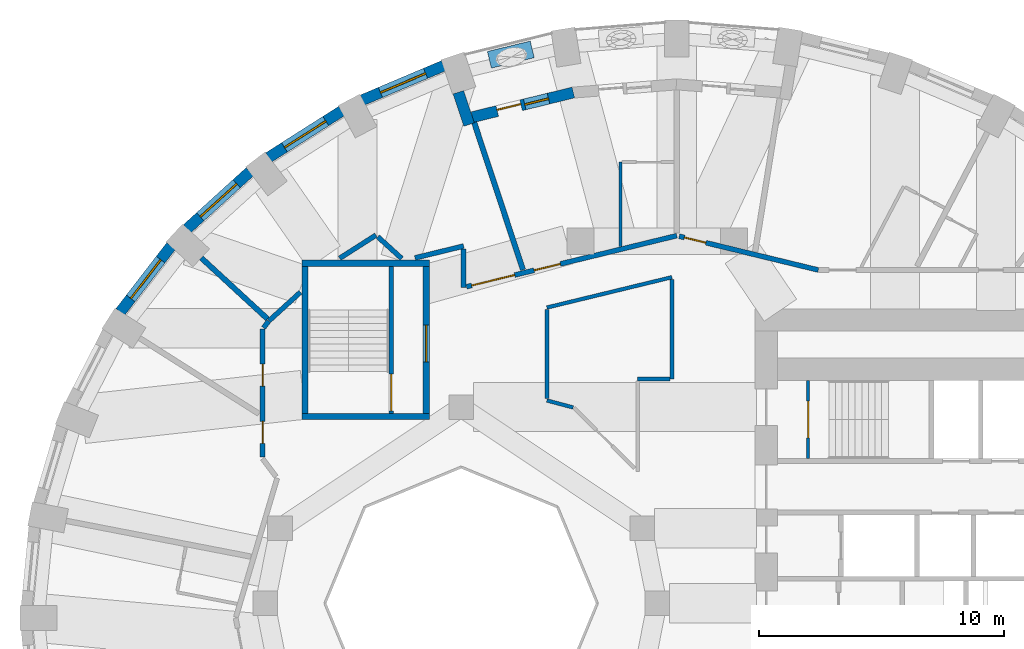
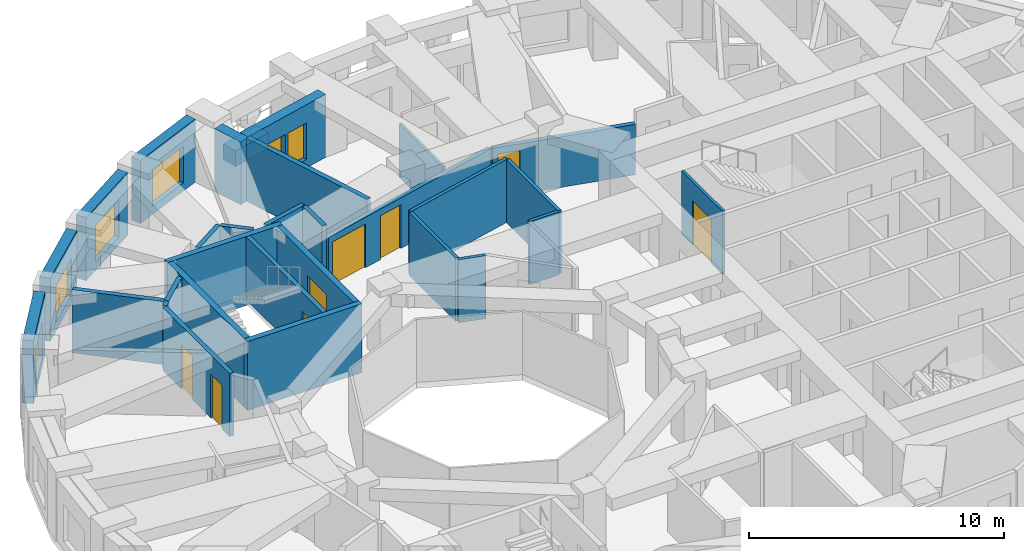
# One storey, part 7 of 12: 30 walls, 9 doors, 5 windows, 14 openings.
"""IFC4 building model written with IfcOpenShell, lengths in metres."""

from ifc_helpers import new_model, si_unit, direction, frame, frame_2d, origin, place, context, subcontext, project, spatial, rectangle, extrude, material, layer, layer_set, constituent, constituent_set, type_object, element, fill, save


model = new_model("IFC4")

# Units and contexts
model_context = context("Model", 3, precision=1e-05, world=origin(), true_north=direction((0.0, 1.0)))
body_context = subcontext(model_context, "Body", "Model", "MODEL_VIEW")
ifc_project = project(units=[si_unit("LENGTHUNIT", "METRE"), si_unit("AREAUNIT", "SQUARE_METRE"), si_unit("VOLUMEUNIT", "CUBIC_METRE"), si_unit("PLANEANGLEUNIT", "RADIAN"), si_unit("MASSUNIT", "GRAM", prefix="KILO")], contexts=[model_context])

# Site, building, storey
site_placement = place(None, origin())
site = spatial("IfcSite", under=ifc_project, at=site_placement, CompositionType="ELEMENT")
building_placement = place(site_placement, origin())
building = spatial("IfcBuilding", under=site, at=building_placement, Name="Taillehof Tower", CompositionType="ELEMENT")
storey_placement = place(building_placement, frame((0.0, 0.0, 88.89990234375)))
storey = spatial("IfcBuildingStorey", under=building, at=storey_placement, Name="L24", CompositionType="ELEMENT", Elevation=88.89990234375)

# Wall, opening, window
ifc_material_1 = material(Name="Brick masonry", Category="masonry")
ifc_layer_1 = layer(ifc_material_1, 0.449951171875)
ifc_layer_set_1 = layer_set([ifc_layer_1], Name="Brick infill wall 450")
wall_type_1 = type_object("IfcWallType", Name="Brick infill wall 450", PredefinedType="SOLIDWALL", material=ifc_layer_set_1)
wall_1_placement = place(storey_placement, frame((-8.718017578125, 21.93359375, 0.0), z_axis=(0.0, 0.0, 1.0), x_axis=(-0.920879975612, -0.389846213932, 0.0)))
wall_1 = element("IfcWall", 1, at=wall_1_placement, inside=storey, type_object=wall_type_1, Name="Brick wall L24 bay 12", PredefinedType="SOLIDWALL", context=body_context, shape_type="SweptSolid", body=[
    extrude(rectangle(XDim=3.591552734375, YDim=0.449951171875, at=frame_2d((1.7958984375, 0.0))), origin(), (0.0, 0.0, 1.0), 3.02001953125),
])
opening_1_placement = place(wall_1_placement, frame((0.795654296875, 0.0, 0.39990234375)))
opening_1 = element("IfcOpeningElement", 2, at=opening_1_placement, cuts=wall_1, Name="Opening W2", PredefinedType="OPENING", context=body_context, shape_type="SweptSolid", body=[
    extrude(rectangle(XDim=2.0, YDim=1.75, at=frame_2d((1.0, 0.875))), frame((0.0, 0.23486328125, 0.0), z_axis=(0.0, -1.0, 0.0), x_axis=(1.0, 0.0, 0.0)), (0.0, 0.0, 1.0), 0.469970703125),
])
ifc_material_2 = material(Name="Aluminium window frame with clear double glazing", Category="aluminium")
window_type_1 = type_object("IfcWindowType", Name="Deep-set window 2000x1750", PartitioningType="SINGLE_PANEL", PredefinedType="WINDOW", material=ifc_material_2)
window_1_placement = place(opening_1_placement, origin())
window_1 = element("IfcWindow", 3, at=window_1_placement, inside=storey, type_object=window_type_1, Name="W2", OverallHeight=1.75, OverallWidth=2.0, PartitioningType="SINGLE_PANEL", PredefinedType="WINDOW", context=body_context, shape_type="SweptSolid", body=[
    extrude(rectangle(XDim=2.0, YDim=1.75, at=frame_2d((1.0, 0.875))), frame((0.0, 0.034912109375, 0.0), z_axis=(0.0, -1.0, 0.0), x_axis=(1.0, 0.0, 0.0)), (0.0, 0.0, 1.0), 0.06005859375),
])
fill(opening_1, window_1)

wall_2_placement = place(storey_placement, frame((-12.87548828125, 20.087158203125, 0.0), z_axis=(0.0, 0.0, 1.0), x_axis=(-0.843860651879, -0.536562391722, 0.0)))
wall_2 = element("IfcWall", 4, at=wall_2_placement, inside=storey, type_object=wall_type_1, Name="Brick wall L24 bay 13", PredefinedType="SOLIDWALL", context=body_context, shape_type="SweptSolid", body=[
    extrude(rectangle(XDim=3.5322265625, YDim=0.449951171875, at=frame_2d((1.76611328125, 0.0))), origin(), (0.0, 0.0, 1.0), 3.02001953125),
])
opening_2_placement = place(wall_2_placement, frame((0.76611328125, 0.0, 0.39990234375)))
opening_2 = element("IfcOpeningElement", 5, at=opening_2_placement, cuts=wall_2, Name="Opening W2", PredefinedType="OPENING", context=body_context, shape_type="SweptSolid", body=[
    extrude(rectangle(XDim=2.0, YDim=1.75, at=frame_2d((1.0, 0.875))), frame((0.0, 0.23486328125, 0.0), z_axis=(0.0, -1.0, 0.0), x_axis=(1.0, 0.0, 0.0)), (0.0, 0.0, 1.0), 0.469970703125),
])
window_2_placement = place(opening_2_placement, origin())
window_2 = element("IfcWindow", 6, at=window_2_placement, inside=storey, type_object=window_type_1, Name="W2", OverallHeight=1.75, OverallWidth=2.0, PartitioningType="SINGLE_PANEL", PredefinedType="WINDOW", context=body_context, shape_type="SweptSolid", body=[
    extrude(rectangle(XDim=2.0, YDim=1.75, at=frame_2d((1.0, 0.875))), frame((0.0, 0.034912109375, 0.0), z_axis=(0.0, -1.0, 0.0), x_axis=(1.0, 0.0, 0.0)), (0.0, 0.0, 1.0), 0.06005859375),
])
fill(opening_2, window_2)

wall_3_placement = place(storey_placement, frame((-16.61962890625, 17.609619140625, 0.0), z_axis=(0.0, 0.0, 1.0), x_axis=(-0.74032902847, -0.672244694739, 0.0)))
wall_3 = element("IfcWall", 7, at=wall_3_placement, inside=storey, type_object=wall_type_1, Name="Brick wall L24 bay 14", PredefinedType="SOLIDWALL", context=body_context, shape_type="SweptSolid", body=[
    extrude(rectangle(XDim=3.4638671875, YDim=0.449951171875, at=frame_2d((1.73193359375, 0.0))), origin(), (0.0, 0.0, 1.0), 3.02001953125),
])
opening_3_placement = place(wall_3_placement, frame((0.73193359375, 0.0, 0.39990234375)))
opening_3 = element("IfcOpeningElement", 8, at=opening_3_placement, cuts=wall_3, Name="Opening W2", PredefinedType="OPENING", context=body_context, shape_type="SweptSolid", body=[
    extrude(rectangle(XDim=2.0, YDim=1.75, at=frame_2d((1.0, 0.875))), frame((0.0, 0.23486328125, 0.0), z_axis=(0.0, -1.0, 0.0), x_axis=(1.0, 0.0, 0.0)), (0.0, 0.0, 1.0), 0.469970703125),
])
window_3_placement = place(opening_3_placement, origin())
window_3 = element("IfcWindow", 9, at=window_3_placement, inside=storey, type_object=window_type_1, Name="W2", OverallHeight=1.75, OverallWidth=2.0, PartitioningType="SINGLE_PANEL", PredefinedType="WINDOW", context=body_context, shape_type="SweptSolid", body=[
    extrude(rectangle(XDim=2.0, YDim=1.75, at=frame_2d((1.0, 0.875))), frame((0.0, 0.034912109375, 0.0), z_axis=(0.0, -1.0, 0.0), x_axis=(1.0, 0.0, 0.0)), (0.0, 0.0, 1.0), 0.06005859375),
])
fill(opening_3, window_3)

wall_4_placement = place(storey_placement, frame((-19.835205078125, 14.575439453125, 0.0), z_axis=(0.0, 0.0, 1.0), x_axis=(-0.610693945156, -0.791866721961, 0.0)))
wall_4 = element("IfcWall", 10, at=wall_4_placement, inside=storey, type_object=wall_type_1, Name="Brick wall L24 bay 15", PredefinedType="SOLIDWALL", context=body_context, shape_type="SweptSolid", body=[
    extrude(rectangle(XDim=3.39453125, YDim=0.449951171875, at=frame_2d((1.697265625, 0.0))), origin(), (0.0, 0.0, 1.0), 3.02001953125),
])
opening_4_placement = place(wall_4_placement, frame((0.697265625, 0.0, 0.39990234375)))
opening_4 = element("IfcOpeningElement", 11, at=opening_4_placement, cuts=wall_4, Name="Opening W2", PredefinedType="OPENING", context=body_context, shape_type="SweptSolid", body=[
    extrude(rectangle(XDim=2.0, YDim=1.75, at=frame_2d((1.0, 0.875))), frame((0.0, 0.23486328125, 0.0), z_axis=(0.0, -1.0, 0.0), x_axis=(1.0, 0.0, 0.0)), (0.0, 0.0, 1.0), 0.469970703125),
])
window_4_placement = place(opening_4_placement, origin())
window_4 = element("IfcWindow", 12, at=window_4_placement, inside=storey, type_object=window_type_1, Name="W2", OverallHeight=1.75, OverallWidth=2.0, PartitioningType="SINGLE_PANEL", PredefinedType="WINDOW", context=body_context, shape_type="SweptSolid", body=[
    extrude(rectangle(XDim=2.0, YDim=1.75, at=frame_2d((1.0, 0.875))), frame((0.0, 0.034912109375, 0.0), z_axis=(0.0, -1.0, 0.0), x_axis=(1.0, 0.0, 0.0)), (0.0, 0.0, 1.0), 0.06005859375),
])
fill(opening_4, window_4)

# Wall
wall_5_placement = place(storey_placement, frame((-8.1142578125, 20.853271484375, 0.0), z_axis=(0.0, 0.0, 1.0), x_axis=(0.314488854508, -0.949261165534, 0.0)))
element("IfcWall", 13, at=wall_5_placement, inside=storey, type_object=wall_type_1, Name="Brick reveal L24 pocket 2", PredefinedType="SOLIDWALL", context=body_context, shape_type="SweptSolid", body=[
    extrude(rectangle(XDim=1.390380859375, YDim=0.449951171875, at=frame_2d((0.6953125, 0.0))), origin(), (0.0, 0.0, 1.0), 3.02001953125),
])

# Wall, openings, door, window
wall_6_placement = place(storey_placement, frame((-3.419921875, 20.841064453125, 0.0), z_axis=(0.0, 0.0, 1.0), x_axis=(-0.971511611373, -0.23699195971, 0.0)))
wall_6 = element("IfcWall", 14, at=wall_6_placement, inside=storey, type_object=wall_type_1, Name="Brick wall L24 pocket bay 11", PredefinedType="SOLIDWALL", context=body_context, shape_type="SweptSolid", body=[
    extrude(rectangle(XDim=4.2412109375, YDim=0.449951171875, at=frame_2d((2.12060546875, 0.0))), origin(), (0.0, 0.0, 1.0), 3.02001953125),
])
opening_5_placement = place(wall_6_placement, frame((1.04541015625, 0.0, 0.39990234375)))
opening_5 = element("IfcOpeningElement", 15, at=opening_5_placement, cuts=wall_6, Name="Opening W5", PredefinedType="OPENING", context=body_context, shape_type="SweptSolid", body=[
    extrude(rectangle(XDim=1.0, YDim=1.75, at=frame_2d((0.5, 0.875))), frame((0.0, 0.23486328125, 0.0), z_axis=(0.0, -1.0, 0.0), x_axis=(1.0, 0.0, 0.0)), (0.0, 0.0, 1.0), 0.469970703125),
])
opening_6_placement = place(wall_6_placement, frame((2.195556640625, 0.0, 0.0)))
opening_6 = element("IfcOpeningElement", 16, at=opening_6_placement, cuts=wall_6, Name="Opening D2496", PredefinedType="OPENING", context=body_context, shape_type="SweptSolid", body=[
    extrude(rectangle(XDim=1.0, YDim=2.14990234375, at=frame_2d((0.5, 1.074951171875))), frame((0.0, 0.23486328125, 0.0), z_axis=(0.0, -1.0, 0.0), x_axis=(1.0, 0.0, 0.0)), (0.0, 0.0, 1.0), 0.469970703125),
])
ifc_material_3 = material(Name="Aluminium door frame with clear double glazing", Category="aluminium")
door_type_1 = type_object("IfcDoorType", Name="Balcony door 1000x2150", OperationType="SINGLE_SWING_RIGHT", PredefinedType="DOOR", material=ifc_material_3)
door_1_placement = place(opening_6_placement, frame((1.0, 0.0, 0.0), z_axis=(0.0, 0.0, 1.0), x_axis=(-1.0, 0.0, 0.0)))
door_1 = element("IfcDoor", 17, at=door_1_placement, inside=storey, type_object=door_type_1, Name="Balcony door L24 bay 11", OperationType="SINGLE_SWING_LEFT", OverallHeight=2.14990234375, OverallWidth=1.0, PredefinedType="DOOR", context=body_context, shape_type="SweptSolid", body=[
    extrude(rectangle(XDim=1.0, YDim=2.14990234375, at=frame_2d((0.5, 1.074951171875))), frame((0.0, 0.0751953125, 0.0), z_axis=(0.0, -1.0, 0.0), x_axis=(1.0, 0.0, 0.0)), (0.0, 0.0, 1.0), 0.050048828125),
])
fill(opening_6, door_1)
ifc_material_4 = material(Name="Aluminium window frame with clear double glazing", Category="aluminium")
window_type_2 = type_object("IfcWindowType", Name="Fixed window 1000x1750", PartitioningType="SINGLE_PANEL", PredefinedType="WINDOW", material=ifc_material_4)
window_5_placement = place(opening_5_placement, origin())
window_5 = element("IfcWindow", 18, at=window_5_placement, inside=storey, type_object=window_type_2, Name="W5", OverallHeight=1.75, OverallWidth=1.0, PartitioningType="SINGLE_PANEL", PredefinedType="WINDOW", context=body_context, shape_type="SweptSolid", body=[
    extrude(rectangle(XDim=1.0, YDim=1.75, at=frame_2d((0.5, 0.875))), frame((0.0, 0.034912109375, 0.0), z_axis=(0.0, -1.0, 0.0), x_axis=(1.0, 0.0, 0.0)), (0.0, 0.0, 1.0), 0.06005859375),
])
fill(opening_5, window_5)

# Wall, openings, doors
ifc_material_5 = material(Name="Gypsum board on steel studs, two layers each side", Category="steel")
ifc_layer_2 = layer(ifc_material_5, 0.199951171875)
ifc_layer_set_2 = layer_set([ifc_layer_2], Name="Compartment wall corridor 200")
wall_type_2 = type_object("IfcWallType", Name="Compartment wall corridor 200", PredefinedType="PARTITIONING", material=ifc_layer_set_2)
wall_7_placement = place(storey_placement, frame((-16.10009765625, 5.9599609375, 0.0), z_axis=(0.0, 0.0, 1.0), x_axis=(0.0, 1.0, 0.0)))
wall_7 = element("IfcWall", 19, at=wall_7_placement, inside=storey, type_object=wall_type_2, Name="Compartment wall", PredefinedType="PARTITIONING", context=body_context, shape_type="SweptSolid", body=[
    extrude(rectangle(XDim=5.232177734375, YDim=0.199951171875, at=frame_2d((2.6162109375, 0.0))), origin(), (0.0, 0.0, 1.0), 3.02001953125),
])
opening_7_placement = place(wall_7_placement, frame((2.896728515625, 0.0, 0.0)))
opening_7 = element("IfcOpeningElement", 20, at=opening_7_placement, cuts=wall_7, Name="Opening D2448", PredefinedType="OPENING", context=body_context, shape_type="SweptSolid", body=[
    extrude(rectangle(XDim=0.89990234375, YDim=2.10009765625, at=frame_2d((0.449951171875, 1.050048828125))), frame((0.0, 0.10986328125, 0.0), z_axis=(0.0, -1.0, 0.0), x_axis=(1.0, 0.0, 0.0)), (0.0, 0.0, 1.0), 0.219970703125),
])
opening_8_placement = place(wall_7_placement, frame((0.567626953125, 0.0, 0.0)))
opening_8 = element("IfcOpeningElement", 21, at=opening_8_placement, cuts=wall_7, Name="Opening D2449", PredefinedType="OPENING", context=body_context, shape_type="SweptSolid", body=[
    extrude(rectangle(XDim=0.89990234375, YDim=2.10009765625, at=frame_2d((0.449951171875, 1.050048828125))), frame((0.0, 0.10986328125, 0.0), z_axis=(0.0, -1.0, 0.0), x_axis=(1.0, 0.0, 0.0)), (0.0, 0.0, 1.0), 0.219970703125),
])
ifc_material_6 = material(Name="Timber door leaf in steel frame", Category="steel")
door_type_2 = type_object("IfcDoorType", Name="Service room door EI 30 900 x 2100", OperationType="SINGLE_SWING_LEFT", PredefinedType="DOOR", material=ifc_material_6)
door_2_placement = place(opening_7_placement, origin())
door_2 = element("IfcDoor", 22, at=door_2_placement, inside=storey, type_object=door_type_2, Name="D2448", OperationType="SINGLE_SWING_LEFT", OverallHeight=2.10009765625, OverallWidth=0.89990234375, PredefinedType="DOOR", context=body_context, shape_type="SweptSolid", body=[
    extrude(rectangle(XDim=0.89990234375, YDim=2.10009765625, at=frame_2d((0.449951171875, 1.050048828125))), frame((0.0, 0.02490234375, 0.0), z_axis=(0.0, -1.0, 0.0), x_axis=(1.0, 0.0, 0.0)), (0.0, 0.0, 1.0), 0.050048828125),
])
fill(opening_7, door_2)
door_3_placement = place(opening_8_placement, origin())
door_3 = element("IfcDoor", 23, at=door_3_placement, inside=storey, type_object=door_type_2, Name="D2449", OperationType="SINGLE_SWING_RIGHT", OverallHeight=2.10009765625, OverallWidth=0.89990234375, PredefinedType="DOOR", context=body_context, shape_type="SweptSolid", body=[
    extrude(rectangle(XDim=0.89990234375, YDim=2.10009765625, at=frame_2d((0.449951171875, 1.050048828125))), frame((0.0, 0.02490234375, 0.0), z_axis=(0.0, -1.0, 0.0), x_axis=(1.0, 0.0, 0.0)), (0.0, 0.0, 1.0), 0.050048828125),
])
fill(opening_8, door_3)

# Walls
wall_8_placement = place(storey_placement, frame((-16.0634765625, 11.23974609375, 0.0), z_axis=(0.0, 0.0, 1.0), x_axis=(0.609744747854, 0.792597844096, 0.0)))
element("IfcWall", 24, at=wall_8_placement, inside=storey, type_object=wall_type_2, Name="Compartment wall", PredefinedType="PARTITIONING", context=body_context, shape_type="SweptSolid", body=[
    extrude(rectangle(XDim=0.34716796875, YDim=0.199951171875, at=frame_2d((0.173583984375, 0.0))), origin(), (0.0, 0.0, 1.0), 3.02001953125),
])
wall_9_placement = place(storey_placement, frame((-15.8369140625, 11.5283203125, 0.0), z_axis=(0.0, 0.0, 1.0), x_axis=(0.739402681643, 0.673263450946, 0.0)))
element("IfcWall", 25, at=wall_9_placement, inside=storey, type_object=wall_type_2, Name="Compartment wall", PredefinedType="PARTITIONING", context=body_context, shape_type="SweptSolid", body=[
    extrude(rectangle(XDim=1.7275390625, YDim=0.199951171875, at=frame_2d((0.86376953125, 0.0))), origin(), (0.0, 0.0, 1.0), 3.02001953125),
])
wall_10_placement = place(storey_placement, frame((-12.957275390625, 14.0771484375, 0.0), z_axis=(0.0, 0.0, 1.0), x_axis=(0.843226410818, 0.537558573645, 0.0)))
element("IfcWall", 26, at=wall_10_placement, inside=storey, type_object=wall_type_2, Name="Compartment wall", PredefinedType="PARTITIONING", context=body_context, shape_type="SweptSolid", body=[
    extrude(rectangle(XDim=1.757080078125, YDim=0.199951171875, at=frame_2d((0.87841796875, 0.0))), origin(), (0.0, 0.0, 1.0), 3.02001953125),
])
wall_11_placement = place(storey_placement, frame((-11.401123046875, 14.95458984375, 0.0), z_axis=(0.0, 0.0, 1.0), x_axis=(0.740594498135, -0.671952222507, 0.0)))
element("IfcWall", 27, at=wall_11_placement, inside=storey, type_object=wall_type_2, Name="Compartment wall", PredefinedType="PARTITIONING", context=body_context, shape_type="SweptSolid", body=[
    extrude(rectangle(XDim=1.31591796875, YDim=0.199951171875, at=frame_2d((0.657958984375, 0.0))), origin(), (0.0, 0.0, 1.0), 3.02001953125),
])
wall_12_placement = place(storey_placement, frame((-9.883544921875, 14.092041015625, 0.0), z_axis=(0.0, 0.0, 1.0), x_axis=(0.971512281799, 0.236989211388, 0.0)))
element("IfcWall", 28, at=wall_12_placement, inside=storey, type_object=wall_type_2, Name="Compartment wall", PredefinedType="PARTITIONING", context=body_context, shape_type="SweptSolid", body=[
    extrude(rectangle(XDim=2.041748046875, YDim=0.199951171875, at=frame_2d((1.02099609375, 0.0))), origin(), (0.0, 0.0, 1.0), 3.02001953125),
])
wall_13_placement = place(storey_placement, frame((-7.89990234375, 14.455810546875, 0.0), z_axis=(0.0, 0.0, 1.0), x_axis=(0.0, -1.0, 0.0)))
element("IfcWall", 29, at=wall_13_placement, inside=storey, type_object=wall_type_2, Name="Compartment wall", PredefinedType="PARTITIONING", context=body_context, shape_type="SweptSolid", body=[
    extrude(rectangle(XDim=1.5673828125, YDim=0.199951171875, at=frame_2d((0.78369140625, 0.0))), origin(), (0.0, 0.0, 1.0), 3.02001953125),
])

# Wall, openings, doors
wall_14_placement = place(storey_placement, frame((-7.78271484375, 12.916259765625, 0.0), z_axis=(0.0, 0.0, 1.0), x_axis=(0.971770455305, 0.235928341232, 0.0)))
wall_14 = element("IfcWall", 30, at=wall_14_placement, inside=storey, type_object=wall_type_2, Name="Compartment wall", PredefinedType="PARTITIONING", context=body_context, shape_type="SweptSolid", body=[
    extrude(rectangle(XDim=8.83203125, YDim=0.199951171875, at=frame_2d((4.416015625, 0.0))), origin(), (0.0, 0.0, 1.0), 2.420166015625),
])
opening_9_placement = place(wall_14_placement, frame((2.840087890625, 0.0, 0.0)))
opening_9 = element("IfcOpeningElement", 31, at=opening_9_placement, cuts=wall_14, Name="Opening D2445", PredefinedType="OPENING", context=body_context, shape_type="SweptSolid", body=[
    extrude(rectangle(XDim=1.10009765625, YDim=2.10009765625, at=frame_2d((0.550048828125, 1.050048828125))), frame((0.0, 0.10986328125, 0.0), z_axis=(0.0, -1.0, 0.0), x_axis=(1.0, 0.0, 0.0)), (0.0, 0.0, 1.0), 0.219970703125),
])
opening_10_placement = place(wall_14_placement, frame((0.219970703125, 0.0, 0.0)))
opening_10 = element("IfcOpeningElement", 32, at=opening_10_placement, cuts=wall_14, Name="Opening D2447", PredefinedType="OPENING", context=body_context, shape_type="SweptSolid", body=[
    extrude(rectangle(XDim=1.800048828125, YDim=2.10009765625, at=frame_2d((0.89990234375, 1.050048828125))), frame((0.0, 0.10986328125, 0.0), z_axis=(0.0, -1.0, 0.0), x_axis=(1.0, 0.0, 0.0)), (0.0, 0.0, 1.0), 0.219970703125),
])
ifc_material_7 = material(Name="Timber door leaf in steel frame", Category="steel")
door_type_3 = type_object("IfcDoorType", Name="Accessible guest room door EI 30 1100 x 2100", OperationType="SINGLE_SWING_LEFT", PredefinedType="DOOR", material=ifc_material_7)
door_4_placement = place(opening_9_placement, origin())
door_4 = element("IfcDoor", 33, at=door_4_placement, inside=storey, type_object=door_type_3, Name="D2445", OperationType="SINGLE_SWING_LEFT", OverallHeight=2.10009765625, OverallWidth=1.10009765625, PredefinedType="DOOR", context=body_context, shape_type="SweptSolid", body=[
    extrude(rectangle(XDim=1.10009765625, YDim=2.10009765625, at=frame_2d((0.550048828125, 1.050048828125))), frame((0.0, 0.02490234375, 0.0), z_axis=(0.0, -1.0, 0.0), x_axis=(1.0, 0.0, 0.0)), (0.0, 0.0, 1.0), 0.050048828125),
])
fill(opening_9, door_4)
ifc_material_8 = material(Name="Timber door leaf in steel frame", Category="steel")
door_type_4 = type_object("IfcDoorType", Name="Lounge and meeting room double door EI 30 1800 x 2100", OperationType="SINGLE_SWING_LEFT", PredefinedType="DOOR", material=ifc_material_8)
door_5_placement = place(opening_10_placement, origin())
door_5 = element("IfcDoor", 34, at=door_5_placement, inside=storey, type_object=door_type_4, Name="D2447", OperationType="DOUBLE_DOOR_SINGLE_SWING", OverallHeight=2.10009765625, OverallWidth=1.800048828125, PredefinedType="DOOR", context=body_context, shape_type="SweptSolid", body=[
    extrude(rectangle(XDim=1.800048828125, YDim=2.10009765625, at=frame_2d((0.89990234375, 1.050048828125))), frame((0.0, 0.02490234375, 0.0), z_axis=(0.0, -1.0, 0.0), x_axis=(1.0, 0.0, 0.0)), (0.0, 0.0, 1.0), 0.050048828125),
])
fill(opening_10, door_5)

# Wall, opening, door
wall_15_placement = place(storey_placement, frame((0.897705078125, 14.976806640625, 0.0), z_axis=(0.0, 0.0, 1.0), x_axis=(0.971773711573, -0.235914928515, 0.0)))
wall_15 = element("IfcWall", 35, at=wall_15_placement, inside=storey, type_object=wall_type_2, Name="Compartment wall", PredefinedType="PARTITIONING", context=body_context, shape_type="SweptSolid", body=[
    extrude(rectangle(XDim=5.835693359375, YDim=0.199951171875, at=frame_2d((2.91796875, 0.0))), origin(), (0.0, 0.0, 1.0), 2.420166015625),
])
opening_11_placement = place(wall_15_placement, frame((0.219970703125, 0.0, 0.0)))
opening_11 = element("IfcOpeningElement", 36, at=opening_11_placement, cuts=wall_15, Name="Opening D2444", PredefinedType="OPENING", context=body_context, shape_type="SweptSolid", body=[
    extrude(rectangle(XDim=0.89990234375, YDim=2.10009765625, at=frame_2d((0.449951171875, 1.050048828125))), frame((0.0, 0.10986328125, 0.0), z_axis=(0.0, -1.0, 0.0), x_axis=(1.0, 0.0, 0.0)), (0.0, 0.0, 1.0), 0.219970703125),
])
door_6_placement = place(opening_11_placement, origin())
door_6 = element("IfcDoor", 37, at=door_6_placement, inside=storey, type_object=door_type_2, Name="D2444", OperationType="SINGLE_SWING_LEFT", OverallHeight=2.10009765625, OverallWidth=0.89990234375, PredefinedType="DOOR", context=body_context, shape_type="SweptSolid", body=[
    extrude(rectangle(XDim=0.89990234375, YDim=2.10009765625, at=frame_2d((0.449951171875, 1.050048828125))), frame((0.0, 0.02490234375, 0.0), z_axis=(0.0, -1.0, 0.0), x_axis=(1.0, 0.0, 0.0)), (0.0, 0.0, 1.0), 0.050048828125),
])
fill(opening_11, door_6)

# Walls
ifc_material_9 = material(Name="Gypsum board on double steel studs with mineral wool", Category="steel")
ifc_layer_3 = layer(ifc_material_9, 0.219970703125)
ifc_layer_set_3 = layer_set([ifc_layer_3], Name="Compartment wall guest room 220")
wall_type_3 = type_object("IfcWallType", Name="Compartment wall guest room 220", PredefinedType="PARTITIONING", material=ifc_layer_set_3)
wall_16_placement = place(storey_placement, frame((-7.46923828125, 19.621826171875, 0.0), z_axis=(0.0, 0.0, 1.0), x_axis=(0.314576080141, -0.94923226336, 0.0)))
element("IfcWall", 38, at=wall_16_placement, inside=storey, type_object=wall_type_3, Name="Compartment wall", PredefinedType="PARTITIONING", context=body_context, shape_type="SweptSolid", body=[
    extrude(rectangle(XDim=6.343017578125, YDim=0.219970703125, at=frame_2d((3.17138671875, 0.0))), origin(), (0.0, 0.0, 1.0), 3.02001953125),
])
wall_17_placement = place(storey_placement, frame((-18.60400390625, 14.09375, 0.0), z_axis=(0.0, 0.0, 1.0), x_axis=(0.73529495628, -0.677747244383, 0.0)))
element("IfcWall", 39, at=wall_17_placement, inside=storey, type_object=wall_type_3, Name="Compartment wall", PredefinedType="PARTITIONING", context=body_context, shape_type="SweptSolid", body=[
    extrude(rectangle(XDim=3.673828125, YDim=0.219970703125, at=frame_2d((1.8369140625, 0.0))), origin(), (0.0, 0.0, 1.0), 3.02001953125),
])
ifc_material_10 = material(Name="Gypsum board on steel studs, two layers each side", Category="steel")
ifc_layer_4 = layer(ifc_material_10, 0.14990234375)
ifc_layer_set_4 = layer_set([ifc_layer_4], Name="Compartment wall service room 150")
wall_type_4 = type_object("IfcWallType", Name="Compartment wall service room 150", PredefinedType="PARTITIONING", material=ifc_layer_set_4)
wall_18_placement = place(storey_placement, frame((-4.5, 12.0673828125, 0.0), z_axis=(0.0, 0.0, 1.0), x_axis=(0.971799407652, 0.23580905684, 0.0)))
element("IfcWall", 40, at=wall_18_placement, inside=storey, type_object=wall_type_4, Name="Compartment wall", PredefinedType="PARTITIONING", context=body_context, shape_type="SweptSolid", body=[
    extrude(rectangle(XDim=5.248046875, YDim=0.14990234375, at=frame_2d((2.6240234375, 0.0))), origin(), (0.0, 0.0, 1.0), 3.02001953125),
])
wall_19_placement = place(storey_placement, frame((0.60009765625, 13.204833984375, 0.0), z_axis=(0.0, 0.0, 1.0), x_axis=(0.0, -1.0, 0.0)))
element("IfcWall", 41, at=wall_19_placement, inside=storey, type_object=wall_type_4, Name="Compartment wall", PredefinedType="PARTITIONING", context=body_context, shape_type="SweptSolid", body=[
    extrude(rectangle(XDim=4.054931640625, YDim=0.14990234375, at=frame_2d((2.02734375, 0.0))), origin(), (0.0, 0.0, 1.0), 3.02001953125),
])
wall_20_placement = place(storey_placement, frame((0.52001953125, 9.14990234375, 0.0), z_axis=(0.0, 0.0, 1.0), x_axis=(-1.0, 0.0, 0.0)))
element("IfcWall", 42, at=wall_20_placement, inside=storey, type_object=wall_type_4, Name="Compartment wall", PredefinedType="PARTITIONING", context=body_context, shape_type="SweptSolid", body=[
    extrude(rectangle(XDim=1.320068359375, YDim=0.14990234375, at=frame_2d((0.66015625, 0.0))), origin(), (0.0, 0.0, 1.0), 3.02001953125),
])
wall_21_placement = place(storey_placement, frame((-3.431640625, 7.98974609375, 0.0), z_axis=(0.0, 0.0, 1.0), x_axis=(-0.965900750832, 0.258912609855, 0.0)))
element("IfcWall", 43, at=wall_21_placement, inside=storey, type_object=wall_type_4, Name="Compartment wall", PredefinedType="PARTITIONING", context=body_context, shape_type="SweptSolid", body=[
    extrude(rectangle(XDim=1.10595703125, YDim=0.14990234375, at=frame_2d((0.552978515625, 0.0))), origin(), (0.0, 0.0, 1.0), 3.02001953125),
])
wall_22_placement = place(storey_placement, frame((-4.5, 8.356201171875, 0.0), z_axis=(0.0, 0.0, 1.0), x_axis=(0.0, 1.0, 0.0)))
element("IfcWall", 44, at=wall_22_placement, inside=storey, type_object=wall_type_4, Name="Compartment wall", PredefinedType="PARTITIONING", context=body_context, shape_type="SweptSolid", body=[
    extrude(rectangle(XDim=3.631103515625, YDim=0.14990234375, at=frame_2d((1.8154296875, 0.0))), origin(), (0.0, 0.0, 1.0), 3.02001953125),
])
ifc_material_11 = material(Name="Gypsum board on steel studs, moisture resistant", Category="steel")
ifc_layer_5 = layer(ifc_material_11, 0.1201171875)
ifc_layer_set_5 = layer_set([ifc_layer_5], Name="En-suite wall 120")
wall_type_5 = type_object("IfcWallType", Name="En-suite wall 120", PredefinedType="PARTITIONING", material=ifc_layer_set_5)
wall_23_placement = place(storey_placement, frame((-1.5, 14.564697265625, 0.0), z_axis=(0.0, 0.0, 1.0), x_axis=(0.0, 1.0, 0.0)))
element("IfcWall", 45, at=wall_23_placement, inside=storey, type_object=wall_type_5, Name="En-suite wall", PredefinedType="PARTITIONING", context=body_context, shape_type="SweptSolid", body=[
    extrude(rectangle(XDim=3.435302734375, YDim=0.1201171875, at=frame_2d((1.7177734375, 0.0))), origin(), (0.0, 0.0, 1.0), 2.570068359375),
])
ifc_material_12 = material(Name="Concrete C30/37 precast", Category="concrete")
ifc_constituent_1 = constituent(ifc_material_12, Name="Structure", Category="concrete")
ifc_material_13 = material(Name="Insulated lining")
ifc_constituent_2 = constituent(ifc_material_13, Name="Lining")
ifc_constituent_set = constituent_set(constituents=[ifc_constituent_1, ifc_constituent_2], Name="Planter trough 700x750")
wall_type_6 = type_object("IfcWallType", Name="Planter trough 700x750", PredefinedType="USERDEFINED", material=ifc_constituent_set)
wall_24_placement = place(storey_placement, frame((-5.098876953125, 22.6005859375, 0.0), z_axis=(0.0, 0.0, 1.0), x_axis=(-0.971654974133, -0.23640349245, 0.0)))
element("IfcWall", 46, at=wall_24_placement, inside=storey, type_object=wall_type_6, Name="Planter L24 bay 11", ObjectType="PLANTER", PredefinedType="USERDEFINED", context=body_context, shape_type="SweptSolid", body=[
    extrude(rectangle(XDim=1.800048828125, YDim=0.699951171875, at=frame_2d((0.89990234375, 0.0))), origin(), (0.0, 0.0, 1.0), 0.75),
])

# Wall, opening, door
ifc_material_14 = material(Name="Concrete C50/60", Category="concrete")
ifc_layer_6 = layer(ifc_material_14, 0.199951171875)
ifc_layer_set_6 = layer_set([ifc_layer_6], Name="Shaft wall C50/60 200")
wall_type_7 = type_object("IfcWallType", Name="Shaft wall C50/60 200", PredefinedType="SHEAR", material=ifc_layer_set_6)
wall_25_placement = place(storey_placement, frame((-10.85009765625, 7.75, 0.0), z_axis=(0.0, 0.0, 1.0), x_axis=(0.0, 1.0, 0.0)))
wall_25 = element("IfcWall", 47, at=wall_25_placement, inside=storey, type_object=wall_type_7, Name="Shaft wall SW", PredefinedType="SHEAR", context=body_context, shape_type="SweptSolid", body=[
    extrude(rectangle(XDim=6.0, YDim=0.199951171875, at=frame_2d((3.0, 0.0))), origin(), (0.0, 0.0, 1.0), 3.02001953125),
])
opening_12_placement = place(wall_25_placement, frame((0.10009765625, 0.0, 0.0)))
opening_12 = element("IfcOpeningElement", 48, at=opening_12_placement, cuts=wall_25, Name="Opening D2412", PredefinedType="OPENING", context=body_context, shape_type="SweptSolid", body=[
    extrude(rectangle(XDim=1.5, YDim=2.10009765625, at=frame_2d((0.75, 1.050048828125))), frame((0.0, 0.10986328125, 0.0), z_axis=(0.0, -1.0, 0.0), x_axis=(1.0, 0.0, 0.0)), (0.0, 0.0, 1.0), 0.219970703125),
])
ifc_material_15 = material(Name="Steel-faced fire door", Category="steel")
door_type_5 = type_object("IfcDoorType", Name="Stair door 1500x2100", OperationType="DOUBLE_DOOR_SINGLE_SWING", PredefinedType="DOOR", material=ifc_material_15)
door_7_placement = place(opening_12_placement, origin())
door_7 = element("IfcDoor", 49, at=door_7_placement, inside=storey, type_object=door_type_5, Name="Stair lobby door S3", OperationType="DOUBLE_DOOR_SINGLE_SWING", OverallHeight=2.10009765625, OverallWidth=1.5, PredefinedType="DOOR", context=body_context, shape_type="SweptSolid", body=[
    extrude(rectangle(XDim=1.5, YDim=2.10009765625, at=frame_2d((0.75, 1.050048828125))), frame((0.0, 0.02490234375, 0.0), z_axis=(0.0, -1.0, 0.0), x_axis=(1.0, 0.0, 0.0)), (0.0, 0.0, 1.0), 0.050048828125),
])
fill(opening_12, door_7)

ifc_material_16 = material(Name="Concrete C50/60", Category="concrete")
ifc_layer_7 = layer(ifc_material_16, 0.1201171875)
ifc_layer_set_7 = layer_set([ifc_layer_7], Name="Stair lobby wall C50/60 120")
wall_type_8 = type_object("IfcWallType", Name="Stair lobby wall C50/60 120", PredefinedType="SHEAR", material=ifc_layer_set_7)
wall_26_placement = place(storey_placement, frame((6.159912109375, 5.89990234375, 0.0), z_axis=(0.0, 0.0, 1.0), x_axis=(0.0, 1.0, 0.0)))
wall_26 = element("IfcWall", 50, at=wall_26_placement, inside=storey, type_object=wall_type_8, Name="Compartment wall SW", PredefinedType="SHEAR", context=body_context, shape_type="SweptSolid", body=[
    extrude(rectangle(XDim=3.2001953125, YDim=0.1201171875, at=frame_2d((1.60009765625, 0.0))), origin(), (0.0, 0.0, 1.0), 3.02001953125),
])
opening_13_placement = place(wall_26_placement, frame((0.85009765625, 0.0, 0.0)))
opening_13 = element("IfcOpeningElement", 51, at=opening_13_placement, cuts=wall_26, Name="Opening D2410", PredefinedType="OPENING", context=body_context, shape_type="SweptSolid", body=[
    extrude(rectangle(XDim=1.5, YDim=2.10009765625, at=frame_2d((0.75, 1.050048828125))), frame((0.0, 0.070068359375, 0.0), z_axis=(0.0, -1.0, 0.0), x_axis=(1.0, 0.0, 0.0)), (0.0, 0.0, 1.0), 0.14013671875),
])
door_8_placement = place(opening_13_placement, origin())
door_8 = element("IfcDoor", 52, at=door_8_placement, inside=storey, type_object=door_type_5, Name="Stair lobby door S1", OperationType="DOUBLE_DOOR_SINGLE_SWING", OverallHeight=2.10009765625, OverallWidth=1.5, PredefinedType="DOOR", context=body_context, shape_type="SweptSolid", body=[
    extrude(rectangle(XDim=1.5, YDim=2.10009765625, at=frame_2d((0.75, 1.050048828125))), frame((0.0, 0.02490234375, 0.0), z_axis=(0.0, -1.0, 0.0), x_axis=(1.0, 0.0, 0.0)), (0.0, 0.0, 1.0), 0.050048828125),
])
fill(opening_13, door_8)

# Wall
ifc_material_17 = material(Name="Concrete C50/60", Category="concrete")
ifc_layer_8 = layer(ifc_material_17, 0.25)
ifc_layer_set_8 = layer_set([ifc_layer_8], Name="Stair wall C50/60 250")
wall_type_9 = type_object("IfcWallType", Name="Stair wall C50/60 250", PredefinedType="SHEAR", material=ifc_layer_set_8)
wall_27_placement = place(storey_placement, frame((-14.375, 7.75, -0.27978515625), z_axis=(0.0, 0.0, 1.0), x_axis=(0.0, 1.0, 0.0)))
element("IfcWall", 53, at=wall_27_placement, inside=storey, type_object=wall_type_9, Name="Stair wall SC", PredefinedType="SHEAR", context=body_context, shape_type="SweptSolid", body=[
    extrude(rectangle(XDim=6.0, YDim=0.25, at=frame_2d((3.0, 0.0))), origin(), (0.0, 0.0, 1.0), 3.2998046875),
])

# Wall, opening, door
wall_28_placement = place(storey_placement, frame((-9.425048828125, 7.75, -0.27978515625), z_axis=(0.0, 0.0, 1.0), x_axis=(0.0, 1.0, 0.0)))
wall_28 = element("IfcWall", 54, at=wall_28_placement, inside=storey, type_object=wall_type_9, Name="Stair wall SC", PredefinedType="SHEAR", context=body_context, shape_type="SweptSolid", body=[
    extrude(rectangle(XDim=6.0, YDim=0.25, at=frame_2d((3.0, 0.0))), origin(), (0.0, 0.0, 1.0), 3.2998046875),
])
opening_14_placement = place(wall_28_placement, frame((2.10009765625, 0.0, 0.280029296875)))
opening_14 = element("IfcOpeningElement", 55, at=opening_14_placement, cuts=wall_28, Name="Opening D2419", PredefinedType="OPENING", context=body_context, shape_type="SweptSolid", body=[
    extrude(rectangle(XDim=1.5, YDim=2.10009765625, at=frame_2d((0.75, 1.050048828125))), frame((0.0, 0.135009765625, 0.0), z_axis=(0.0, -1.0, 0.0), x_axis=(1.0, 0.0, 0.0)), (0.0, 0.0, 1.0), 0.27001953125),
])
door_9_placement = place(opening_14_placement, origin())
door_9 = element("IfcDoor", 56, at=door_9_placement, inside=storey, type_object=door_type_5, Name="Stair door S3", OperationType="DOUBLE_DOOR_SINGLE_SWING", OverallHeight=2.10009765625, OverallWidth=1.5, PredefinedType="DOOR", context=body_context, shape_type="SweptSolid", body=[
    extrude(rectangle(XDim=1.5, YDim=2.10009765625, at=frame_2d((0.75, 1.050048828125))), frame((0.0, 0.02490234375, 0.0), z_axis=(0.0, -1.0, 0.0), x_axis=(1.0, 0.0, 0.0)), (0.0, 0.0, 1.0), 0.050048828125),
])
fill(opening_14, door_9)

# Walls
for number, where, z_axis, x_axis, name in (
    (57, (-14.5, 13.875, -0.27978515625), (0.0, 0.0, 1.0), (1.0, 0.0, 0.0), "Stair wall SC"),
    (58, (-14.5, 7.625, -0.27978515625), (0.0, 0.0, 1.0), (1.0, 0.0, 0.0), "Stair wall SC"),
):
    element("IfcWall", number, at=place(storey_placement, frame(where, z_axis=z_axis, x_axis=x_axis)), inside=storey, type_object=wall_type_9, Name=name, PredefinedType="SHEAR", context=body_context, shape_type="SweptSolid", body=[
        extrude(rectangle(XDim=5.199951171875, YDim=0.25, at=frame_2d((2.60009765625, 0.0))), origin(), (0.0, 0.0, 1.0), 3.2998046875),
    ])

save(model, "model.ifc")
